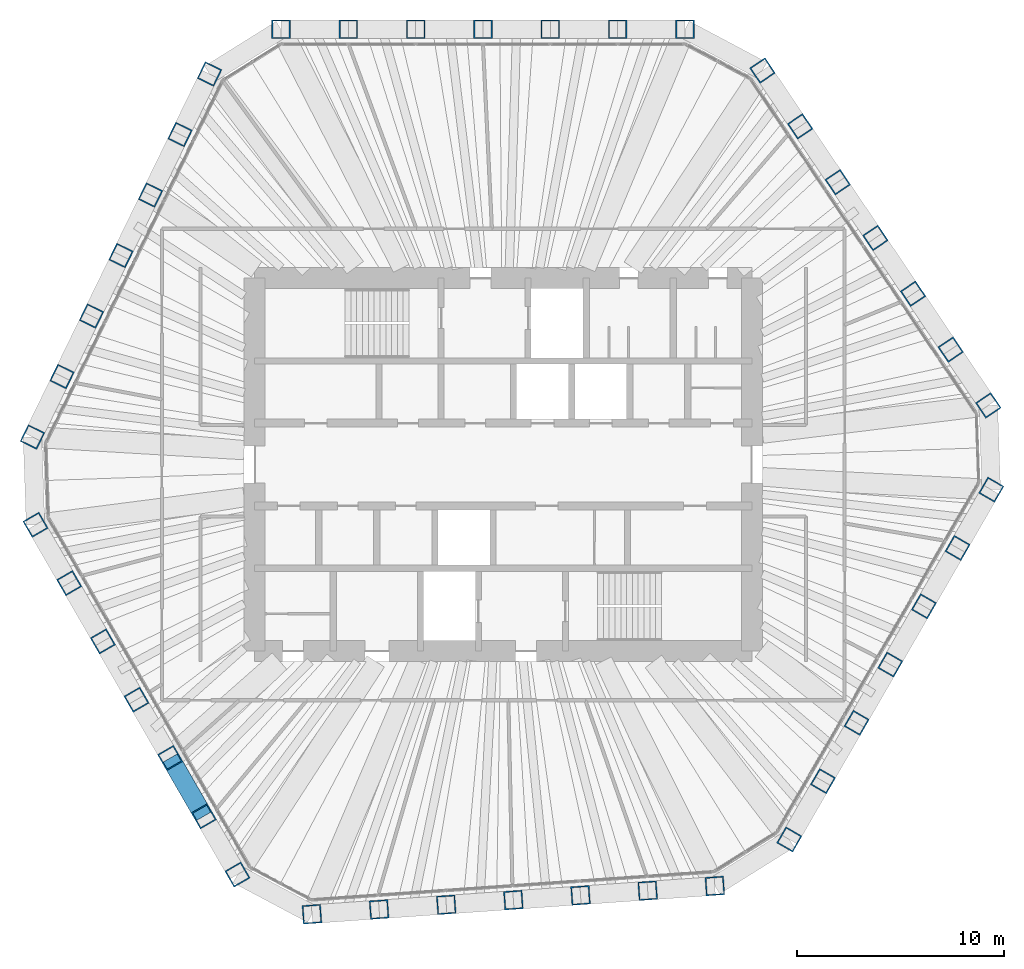
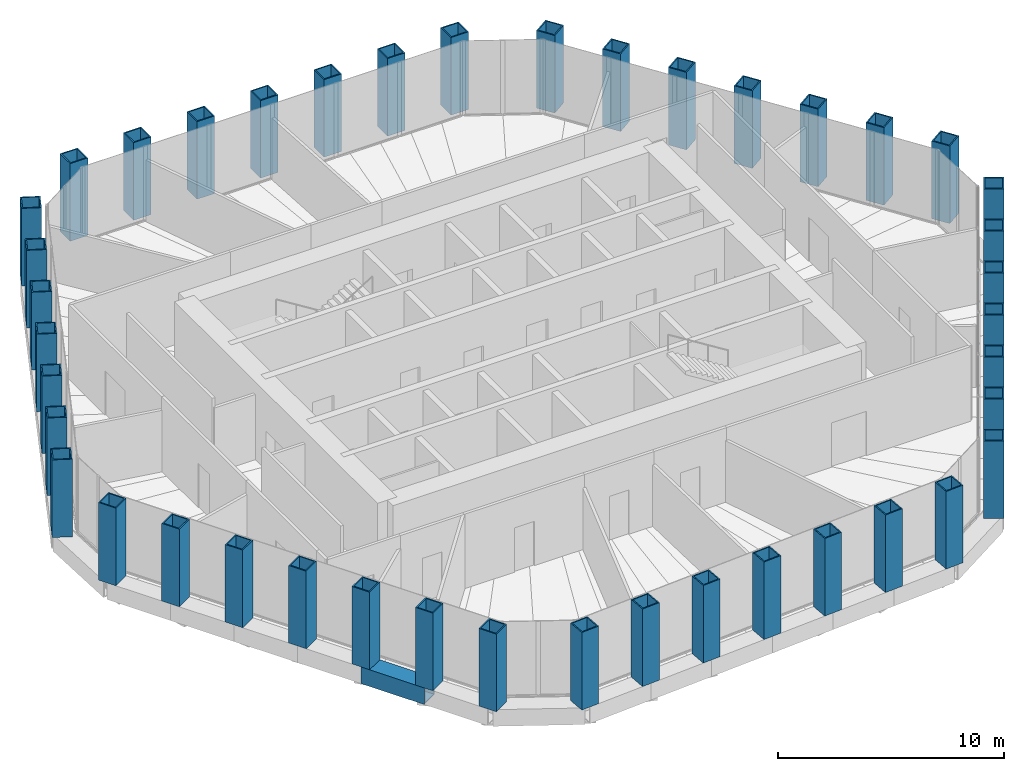
# One storey, part 1 of 14: 42 columns, 1 beam.
"""IFC4 building model written with IfcOpenShell, lengths in metres."""

from ifc_helpers import new_model, si_unit, direction, frame, origin, origin_2d, place, context, subcontext, project, spatial, hollow_rectangle, extrude, material, material_profile, profile_set, type_object, element, save


model = new_model("IFC4")

# Units and contexts
model_context = context("Model", 3, precision=1e-05, world=origin(), true_north=direction((0.0, 1.0)))
body_context = subcontext(model_context, "Body", "Model", "MODEL_VIEW")
ifc_project = project(units=[si_unit("LENGTHUNIT", "METRE"), si_unit("AREAUNIT", "SQUARE_METRE"), si_unit("VOLUMEUNIT", "CUBIC_METRE"), si_unit("PLANEANGLEUNIT", "RADIAN"), si_unit("MASSUNIT", "GRAM", prefix="KILO")], contexts=[model_context])

# Site, building, storey
site_placement = place(None, origin())
site = spatial("IfcSite", under=ifc_project, at=site_placement, CompositionType="ELEMENT")
building_placement = place(site_placement, origin())
building = spatial("IfcBuilding", under=site, at=building_placement, Name="Qingtian Harvest Tower", CompositionType="ELEMENT")
storey_placement = place(building_placement, frame((0.0, 0.0, 266.199951171875)))
storey = spatial("IfcBuildingStorey", under=building, at=storey_placement, Name="L58", CompositionType="ELEMENT", Elevation=266.199951171875)

# Columns
ifc_material_1 = material(Name="Steel SM570MC", Category="steel")
ifc_material_profile_1 = material_profile(ifc_material_1, hollow_rectangle(XDim=0.89990234375, YDim=0.89990234375, WallThickness=0.06005859375, at=origin_2d()), Name="BOX900x900x60")
ifc_profile_set_1 = profile_set([ifc_material_profile_1], Name="Steel SM570MC")
column_type = type_object("IfcColumnType", Name="Tube column TC7 BOX900x900x60", PredefinedType="COLUMN", material=ifc_profile_set_1)
for number, where, z_axis, x_axis, name in (
    (1, (-10.72216796875, 21.0, 0.0), (0.0, 0.0, 1.0), (-1.0, 0.0, 0.0), "Tube column TC7 N0"),
    (2, (-7.47412109375, 21.0, 0.0), (0.0, 0.0, 1.0), (-1.0, 0.0, 0.0), "Tube column TC7 N1"),
    (3, (-4.226318359375, 21.0, 0.0), (0.0, 0.0, 1.0), (-1.0, 0.0, 0.0), "Tube column TC7 N2"),
    (4, (-0.978271484375, 21.0, 0.0), (0.0, 0.0, 1.0), (-1.0, 0.0, 0.0), "Tube column TC7 N3"),
    (5, (2.269775390625, 21.0, 0.0), (0.0, 0.0, 1.0), (-1.0, 0.0, 0.0), "Tube column TC7 N4"),
    (6, (5.517822265625, 21.0, 0.0), (0.0, 0.0, 1.0), (-1.0, 0.0, 0.0), "Tube column TC7 N5"),
    (7, (8.765869140625, 21.0, 0.0), (0.0, 0.0, 1.0), (-1.0, 0.0, 0.0), "Tube column TC7 N6"),
    (8, (12.508056640625, 19.01025390625, 0.0), (0.0, 0.0, 1.0), (-0.559192903471, 0.829037572555, 0.0), "Tube column TC7 NE0"),
    (9, (14.32421875, 16.317626953125, 0.0), (0.0, 0.0, 1.0), (-0.559192903471, 0.829037572555, 0.0), "Tube column TC7 NE1"),
    (10, (16.140625, 13.624755859375, 0.0), (0.0, 0.0, 1.0), (-0.559192903471, 0.829037572555, 0.0), "Tube column TC7 NE2"),
    (11, (17.956787109375, 10.93212890625, 0.0), (0.0, 0.0, 1.0), (-0.559192903471, 0.829037572555, 0.0), "Tube column TC7 NE3"),
    (12, (19.77294921875, 8.2392578125, 0.0), (0.0, 0.0, 1.0), (-0.559192903471, 0.829037572555, 0.0), "Tube column TC7 NE4"),
    (13, (21.58935546875, 5.546630859375, 0.0), (0.0, 0.0, 1.0), (-0.559192903471, 0.829037572555, 0.0), "Tube column TC7 NE5"),
    (14, (23.405517578125, 2.85400390625, 0.0), (0.0, 0.0, 1.0), (-0.559192903471, 0.829037572555, 0.0), "Tube column TC7 NE6"),
    (15, (23.547607421875, -1.21435546875, 0.0), (0.0, 0.0, 1.0), (0.5, 0.866025403784, 0.0), "Tube column TC7 SE0"),
    (16, (21.923583984375, -4.027099609375, 0.0), (0.0, 0.0, 1.0), (0.5, 0.866025403784, 0.0), "Tube column TC7 SE1"),
    (17, (20.299560546875, -6.840087890625, 0.0), (0.0, 0.0, 1.0), (0.5, 0.866025403784, 0.0), "Tube column TC7 SE2"),
    (18, (18.675537109375, -9.65283203125, 0.0), (0.0, 0.0, 1.0), (0.5, 0.866025403784, 0.0), "Tube column TC7 SE3"),
    (19, (17.051513671875, -12.4658203125, 0.0), (0.0, 0.0, 1.0), (0.5, 0.866025403784, 0.0), "Tube column TC7 SE4"),
    (20, (15.427490234375, -15.278564453125, 0.0), (0.0, 0.0, 1.0), (0.5, 0.866025403784, 0.0), "Tube column TC7 SE5"),
    (21, (13.803466796875, -18.091552734375, 0.0), (0.0, 0.0, 1.0), (0.5, 0.866025403784, 0.0), "Tube column TC7 SE6"),
    (22, (10.20947265625, -20.33740234375, 0.0), (0.0, 0.0, 1.0), (0.99756405026, 0.069756473744, 0.0), "Tube column TC7 S0"),
    (23, (6.96923828125, -20.56396484375, 0.0), (0.0, 0.0, 1.0), (0.99756405026, 0.069756473744, 0.0), "Tube column TC7 S1"),
    (24, (3.729248046875, -20.79052734375, 0.0), (0.0, 0.0, 1.0), (0.99756405026, 0.069756473744, 0.0), "Tube column TC7 S2"),
    (25, (0.489013671875, -21.01708984375, 0.0), (0.0, 0.0, 1.0), (0.99756405026, 0.069756473744, 0.0), "Tube column TC7 S3"),
    (26, (-2.7509765625, -21.24365234375, 0.0), (0.0, 0.0, 1.0), (0.99756405026, 0.069756473744, 0.0), "Tube column TC7 S4"),
    (27, (-5.9912109375, -21.47021484375, 0.0), (0.0, 0.0, 1.0), (0.99756405026, 0.069756473744, 0.0), "Tube column TC7 S5"),
    (28, (-9.231201171875, -21.69677734375, 0.0), (0.0, 0.0, 1.0), (0.99756405026, 0.069756473744, 0.0), "Tube column TC7 S6"),
    (29, (-12.825439453125, -19.78564453125, 0.0), (0.0, 0.0, 1.0), (0.5, -0.866025403784, 0.0), "Tube column TC7 SW0"),
    (30, (-14.449462890625, -16.972900390625, 0.0), (0.0, 0.0, 1.0), (0.5, -0.866025403784, 0.0), "Tube column TC7 SW1"),
    (31, (-16.073486328125, -14.159912109375, 0.0), (0.0, 0.0, 1.0), (0.5, -0.866025403784, 0.0), "Tube column TC7 SW2"),
    (32, (-17.697509765625, -11.34716796875, 0.0), (0.0, 0.0, 1.0), (0.5, -0.866025403784, 0.0), "Tube column TC7 SW3"),
    (33, (-19.321533203125, -8.5341796875, 0.0), (0.0, 0.0, 1.0), (0.5, -0.866025403784, 0.0), "Tube column TC7 SW4"),
    (34, (-20.945556640625, -5.721435546875, 0.0), (0.0, 0.0, 1.0), (0.5, -0.866025403784, 0.0), "Tube column TC7 SW5"),
    (35, (-22.569580078125, -2.908447265625, 0.0), (0.0, 0.0, 1.0), (0.5, -0.866025403784, 0.0), "Tube column TC7 SW6"),
    (36, (-22.71728515625, 1.3271484375, 0.0), (0.0, 0.0, 1.0), (-0.438371146789, -0.898794046299, 0.0), "Tube column TC7 NW0"),
    (37, (-21.29345703125, 4.246337890625, 0.0), (0.0, 0.0, 1.0), (-0.438371146789, -0.898794046299, 0.0), "Tube column TC7 NW1"),
    (38, (-19.86962890625, 7.165771484375, 0.0), (0.0, 0.0, 1.0), (-0.438371146789, -0.898794046299, 0.0), "Tube column TC7 NW2"),
    (39, (-18.44580078125, 10.0849609375, 0.0), (0.0, 0.0, 1.0), (-0.438371146789, -0.898794046299, 0.0), "Tube column TC7 NW3"),
    (40, (-17.02197265625, 13.00439453125, 0.0), (0.0, 0.0, 1.0), (-0.438371146789, -0.898794046299, 0.0), "Tube column TC7 NW4"),
    (41, (-15.59814453125, 15.923583984375, 0.0), (0.0, 0.0, 1.0), (-0.438371146789, -0.898794046299, 0.0), "Tube column TC7 NW5"),
    (42, (-14.17431640625, 18.8427734375, 0.0), (0.0, 0.0, 1.0), (-0.438371146789, -0.898794046299, 0.0), "Tube column TC7 NW6"),
):
    element("IfcColumn", number, at=place(storey_placement, frame(where, z_axis=z_axis, x_axis=x_axis)), inside=storey, type_object=column_type, Name=name, PredefinedType="COLUMN", context=body_context, shape_type="SweptSolid", body=[
        extrude(hollow_rectangle(XDim=0.89990234375, YDim=0.89990234375, WallThickness=0.06005859375, at=origin_2d()), origin(), (0.0, 0.0, 1.0), 4.199951171875),
    ])

# Beam
ifc_material_2 = material(Name="Steel SM570MC", Category="steel")
ifc_material_profile_2 = material_profile(ifc_material_2, hollow_rectangle(XDim=0.89990234375, YDim=0.89990234375, WallThickness=0.050048828125, at=origin_2d()), Name="BOX900x900x50")
ifc_profile_set_2 = profile_set([ifc_material_profile_2], Name="Steel SM570MC")
beam_type = type_object("IfcBeamType", Name="Transition spandrel SB6 BOX900x900x50", PredefinedType="SPANDREL", material=ifc_profile_set_2)
beam_placement = place(storey_placement, frame((-14.449462890625, -16.972900390625, -0.449951171875), z_axis=(-0.499987045439, 0.866032882975, 0.0), x_axis=(-0.866032882975, -0.499987045439, 0.0)))
element("IfcBeam", 43, at=beam_placement, inside=storey, type_object=beam_type, Name="Spandrel SB6 SW1", PredefinedType="SPANDREL", context=body_context, shape_type="SweptSolid", body=[
    extrude(hollow_rectangle(XDim=0.89990234375, YDim=0.89990234375, WallThickness=0.050048828125, at=origin_2d()), origin(), (0.0, 0.0, 1.0), 3.248046875),
])

save(model, "model.ifc")
